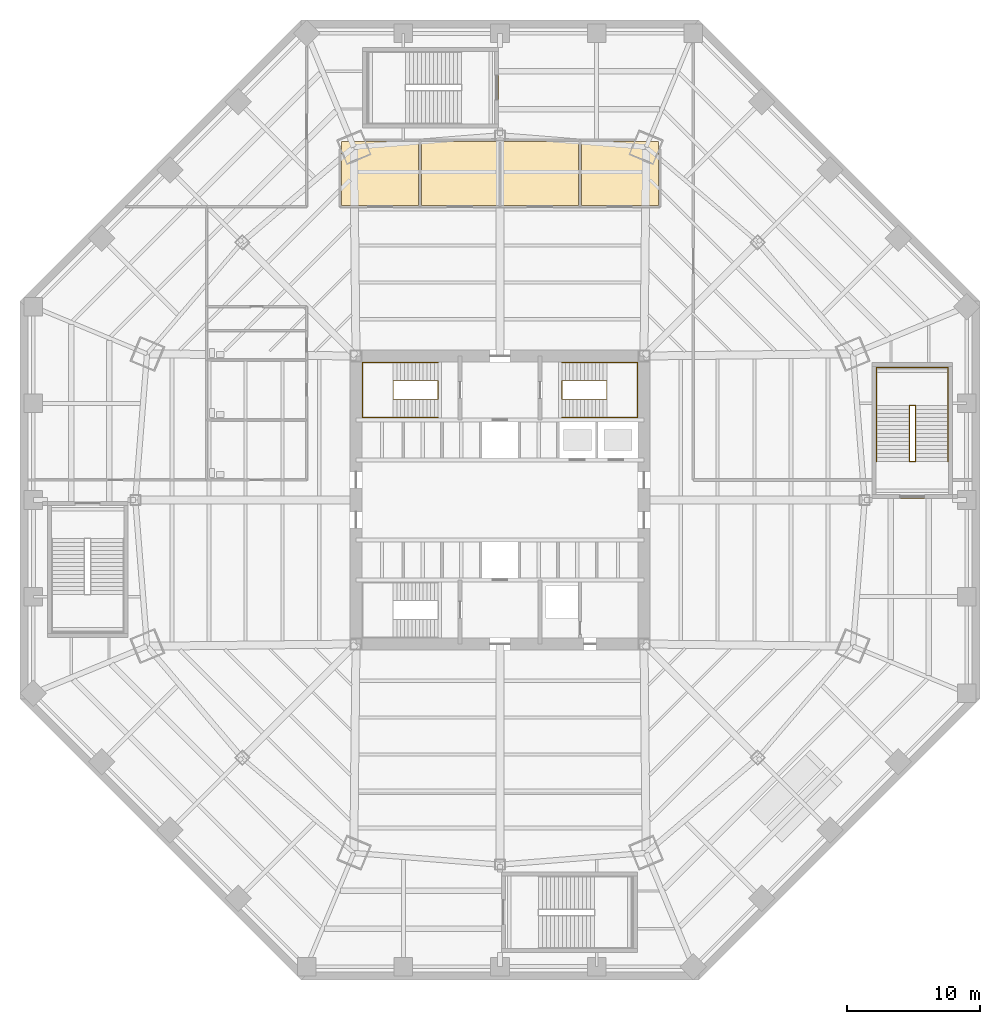
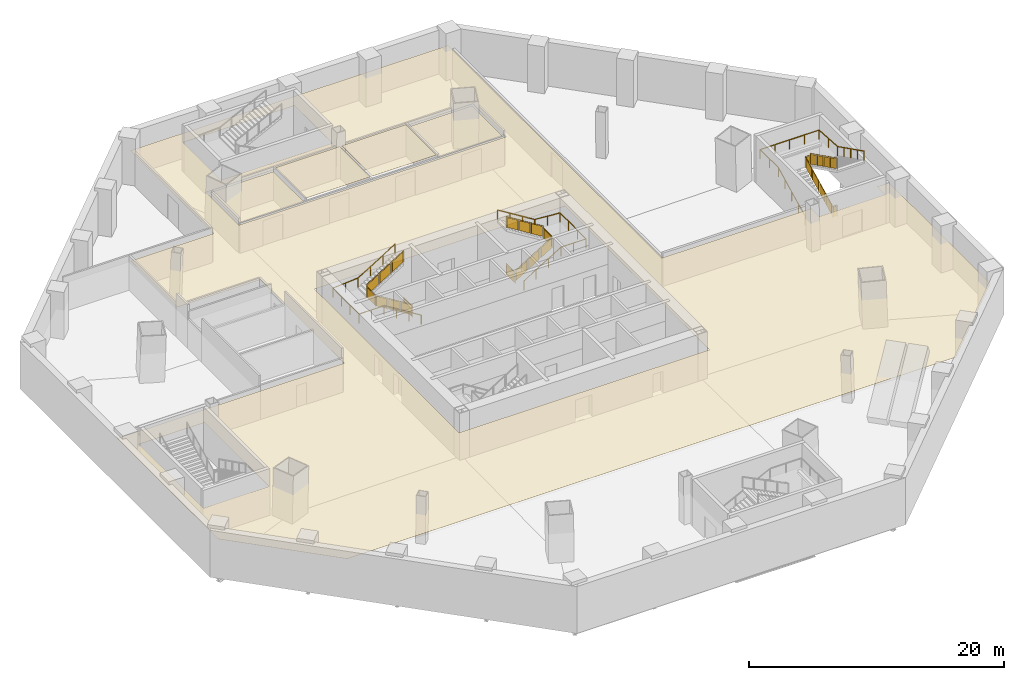
# One storey, part 12 of 15: 6 railings, 5 coverings.
"""IFC4 building model written with IfcOpenShell, lengths in metres."""

from ifc_helpers import new_model, si_unit, direction, frame, origin, origin_2d, place, context, subcontext, project, spatial, polyline, circle, outline, extrude, material, layer, layer_set, type_object, element, save


model = new_model("IFC4")

# Units and contexts
model_context = context("Model", 3, precision=1e-05, world=origin(), true_north=direction((0.0, 1.0)))
body_context = subcontext(model_context, "Body", "Model", "MODEL_VIEW")
ifc_project = project(units=[si_unit("LENGTHUNIT", "METRE"), si_unit("AREAUNIT", "SQUARE_METRE"), si_unit("VOLUMEUNIT", "CUBIC_METRE"), si_unit("PLANEANGLEUNIT", "RADIAN"), si_unit("MASSUNIT", "GRAM", prefix="KILO")], contexts=[model_context])

# Site, building, storey
site_placement = place(None, origin())
site = spatial("IfcSite", under=ifc_project, at=site_placement, CompositionType="ELEMENT")
building_placement = place(site_placement, origin())
building = spatial("IfcBuilding", under=site, at=building_placement, Name="Mashrafa Tower", CompositionType="ELEMENT")
storey_placement = place(building_placement, frame((0.0, 0.0, -4.5)))
storey = spatial("IfcBuildingStorey", under=building, at=storey_placement, Name="B1", CompositionType="ELEMENT", Elevation=-4.5)

# Railings
ifc_material_1 = material(Name="Steel guard with glass infill", Category="steel")
railing_type_1 = type_object("IfcRailingType", Name="Stair guard 1100", PredefinedType="GUARDRAIL", material=ifc_material_1)
railing_1_placement = place(storey_placement, frame((-4.64990234375, 8.949951171875, 0.0)))
element("IfcRailing", 1, at=railing_1_placement, inside=storey, type_object=railing_type_1, Name="Stair S1 guard B1", PredefinedType="GUARDRAIL", context=body_context, shape_type="SweptSolid", body=[
    extrude(circle(Radius=0.02392578125, at=origin_2d()), frame((0.0, 0.0, 1.076171875), z_axis=(0.0, -1.0, 0.0), x_axis=(1.0, 0.0, 0.0)), (0.0, 0.0, 1.0), 1.39990234375),
    extrude(circle(Radius=0.02392578125, at=origin_2d()), frame((0.0, -1.39990234375, 1.076171875), z_axis=(0.0, 0.0, 1.0), x_axis=(1.0, 0.0, 0.0)), (0.0, 0.0, 1.0), 0.173095703125),
    extrude(circle(Radius=0.02392578125, at=origin_2d()), frame((0.0, -1.39990234375, 1.2490234375), z_axis=(-0.850623216509, 0.0, 0.525775754039), x_axis=(0.0, -1.0, 0.0)), (0.0, 0.0, 1.0), 3.9501953125),
    extrude(circle(Radius=0.02392578125, at=origin_2d()), frame((-3.360107421875, -1.39990234375, 3.326171875), z_axis=(0.0, 1.0, 0.0), x_axis=(-1.0, 0.0, 0.0)), (0.0, 0.0, 1.0), 1.39990234375),
    extrude(circle(Radius=0.02392578125, at=origin_2d()), frame((-3.360107421875, 0.0, 3.326171875), z_axis=(0.0, 0.0, 1.0), x_axis=(1.0, 0.0, 0.0)), (0.0, 0.0, 1.0), 0.173095703125),
    extrude(circle(Radius=0.02392578125, at=origin_2d()), frame((-3.360107421875, 0.0, 3.4990234375), z_axis=(0.850623216509, 0.0, 0.525775754039), x_axis=(0.0, 1.0, 0.0)), (0.0, 0.0, 1.0), 3.9501953125),
    extrude(circle(Radius=0.02099609375, at=origin_2d()), origin(), (0.0, 0.0, 1.0), 1.052001953125),
    extrude(circle(Radius=0.02099609375, at=origin_2d()), frame((0.0, -1.39990234375, 0.0)), (0.0, 0.0, 1.0), 1.052001953125),
    extrude(circle(Radius=0.02099609375, at=origin_2d()), frame((0.0, -1.39990234375, 0.173095703125)), (0.0, 0.0, 1.0), 1.052001953125),
    extrude(circle(Radius=0.02099609375, at=origin_2d()), frame((-1.1201171875, -1.39990234375, 0.865478515625)), (0.0, 0.0, 1.0), 1.052001953125),
    extrude(circle(Radius=0.02099609375, at=origin_2d()), frame((-2.239990234375, -1.39990234375, 1.5576171875)), (0.0, 0.0, 1.0), 1.052001953125),
    extrude(circle(Radius=0.02099609375, at=origin_2d()), frame((-3.360107421875, -1.39990234375, 2.25)), (0.0, 0.0, 1.0), 1.052001953125),
    extrude(circle(Radius=0.02099609375, at=origin_2d()), frame((-3.360107421875, 0.0, 2.25)), (0.0, 0.0, 1.0), 1.052001953125),
    extrude(circle(Radius=0.02099609375, at=origin_2d()), frame((-3.360107421875, 0.0, 2.423095703125)), (0.0, 0.0, 1.0), 1.052001953125),
    extrude(circle(Radius=0.02099609375, at=origin_2d()), frame((-2.239990234375, 0.0, 3.115478515625)), (0.0, 0.0, 1.0), 1.052001953125),
    extrude(circle(Radius=0.02099609375, at=origin_2d()), frame((-1.1201171875, 0.0, 3.8076171875)), (0.0, 0.0, 1.0), 1.052001953125),
    extrude(circle(Radius=0.02099609375, at=origin_2d()), frame((0.0, 0.0, 4.5)), (0.0, 0.0, 1.0), 1.052001953125),
    extrude(outline(polyline([(0.071044921875, 0.050048828125), (1.328857421875, 0.050048828125), (1.328857421875, 1.001953125), (0.071044921875, 1.001953125), (0.071044921875, 0.050048828125)])), frame((-0.006103515625, 0.0, 0.0), z_axis=(-1.0, 0.0, 0.0), x_axis=(0.0, -1.0, 0.0)), (0.0, 0.0, 1.0), 0.011962890625),
    extrude(outline(polyline([(0.071044921875, 0.093994140625), (1.049072265625, 0.698486328125), (1.049072265625, 1.650390625), (0.071044921875, 1.0458984375), (0.071044921875, 0.093994140625)])), frame((0.0, -1.393798828125, 0.173095703125), z_axis=(0.0, 1.0, 0.0), x_axis=(-1.0, 0.0, 0.0)), (0.0, 0.0, 1.0), 0.011962890625),
    extrude(outline(polyline([(1.19091796875, 0.7861328125), (2.169189453125, 1.390625), (2.169189453125, 2.3427734375), (1.19091796875, 1.73828125), (1.19091796875, 0.7861328125)])), frame((0.0, -1.393798828125, 0.173095703125), z_axis=(0.0, 1.0, 0.0), x_axis=(-1.0, 0.0, 0.0)), (0.0, 0.0, 1.0), 0.011962890625),
    extrude(outline(polyline([(2.31103515625, 1.478515625), (3.2890625, 2.0830078125), (3.2890625, 3.034912109375), (2.31103515625, 2.430419921875), (2.31103515625, 1.478515625)])), frame((0.0, -1.393798828125, 0.173095703125), z_axis=(0.0, 1.0, 0.0), x_axis=(-1.0, 0.0, 0.0)), (0.0, 0.0, 1.0), 0.011962890625),
    extrude(outline(polyline([(0.071044921875, 0.050048828125), (1.328857421875, 0.050048828125), (1.328857421875, 1.001953125), (0.071044921875, 1.001953125), (0.071044921875, 0.050048828125)])), frame((-3.35400390625, -1.39990234375, 2.25), z_axis=(1.0, 0.0, 0.0), x_axis=(0.0, 1.0, 0.0)), (0.0, 0.0, 1.0), 0.011962890625),
    extrude(outline(polyline([(0.071044921875, 0.093994140625), (1.049072265625, 0.698486328125), (1.049072265625, 1.650390625), (0.071044921875, 1.0458984375), (0.071044921875, 0.093994140625)])), frame((-3.360107421875, -0.006103515625, 2.423095703125), z_axis=(0.0, -1.0, 0.0), x_axis=(1.0, 0.0, 0.0)), (0.0, 0.0, 1.0), 0.011962890625),
    extrude(outline(polyline([(1.19091796875, 0.7861328125), (2.169189453125, 1.390625), (2.169189453125, 2.3427734375), (1.19091796875, 1.73828125), (1.19091796875, 0.7861328125)])), frame((-3.360107421875, -0.006103515625, 2.423095703125), z_axis=(0.0, -1.0, 0.0), x_axis=(1.0, 0.0, 0.0)), (0.0, 0.0, 1.0), 0.011962890625),
    extrude(outline(polyline([(2.31103515625, 1.478515625), (3.2890625, 2.0830078125), (3.2890625, 3.034912109375), (2.31103515625, 2.430419921875), (2.31103515625, 1.478515625)])), frame((-3.360107421875, -0.006103515625, 2.423095703125), z_axis=(0.0, -1.0, 0.0), x_axis=(1.0, 0.0, 0.0)), (0.0, 0.0, 1.0), 0.011962890625),
])
railing_2_placement = place(storey_placement, frame((4.64990234375, 8.949951171875, 0.0)))
element("IfcRailing", 2, at=railing_2_placement, inside=storey, type_object=railing_type_1, Name="Stair S2 guard B1", PredefinedType="GUARDRAIL", context=body_context, shape_type="SweptSolid", body=[
    extrude(circle(Radius=0.02392578125, at=origin_2d()), frame((0.0, 0.0, 1.076171875), z_axis=(0.0, -1.0, 0.0), x_axis=(1.0, 0.0, 0.0)), (0.0, 0.0, 1.0), 1.39990234375),
    extrude(circle(Radius=0.02392578125, at=origin_2d()), frame((0.0, -1.39990234375, 1.076171875), z_axis=(0.0, 0.0, 1.0), x_axis=(1.0, 0.0, 0.0)), (0.0, 0.0, 1.0), 0.173095703125),
    extrude(circle(Radius=0.02392578125, at=origin_2d()), frame((0.0, -1.39990234375, 1.2490234375), z_axis=(0.850623216509, 0.0, 0.525775754039), x_axis=(0.0, 1.0, 0.0)), (0.0, 0.0, 1.0), 3.9501953125),
    extrude(circle(Radius=0.02392578125, at=origin_2d()), frame((3.360107421875, -1.39990234375, 3.326171875), z_axis=(0.0, 1.0, 0.0), x_axis=(-1.0, 0.0, 0.0)), (0.0, 0.0, 1.0), 1.39990234375),
    extrude(circle(Radius=0.02392578125, at=origin_2d()), frame((3.360107421875, 0.0, 3.326171875), z_axis=(0.0, 0.0, 1.0), x_axis=(1.0, 0.0, 0.0)), (0.0, 0.0, 1.0), 0.173095703125),
    extrude(circle(Radius=0.02392578125, at=origin_2d()), frame((3.360107421875, 0.0, 3.4990234375), z_axis=(-0.850623216509, 0.0, 0.525775754039), x_axis=(0.0, -1.0, 0.0)), (0.0, 0.0, 1.0), 3.9501953125),
    extrude(circle(Radius=0.02099609375, at=origin_2d()), origin(), (0.0, 0.0, 1.0), 1.052001953125),
    extrude(circle(Radius=0.02099609375, at=origin_2d()), frame((0.0, -1.39990234375, 0.0)), (0.0, 0.0, 1.0), 1.052001953125),
    extrude(circle(Radius=0.02099609375, at=origin_2d()), frame((0.0, -1.39990234375, 0.173095703125)), (0.0, 0.0, 1.0), 1.052001953125),
    extrude(circle(Radius=0.02099609375, at=origin_2d()), frame((1.1201171875, -1.39990234375, 0.865478515625)), (0.0, 0.0, 1.0), 1.052001953125),
    extrude(circle(Radius=0.02099609375, at=origin_2d()), frame((2.239990234375, -1.39990234375, 1.5576171875)), (0.0, 0.0, 1.0), 1.052001953125),
    extrude(circle(Radius=0.02099609375, at=origin_2d()), frame((3.360107421875, -1.39990234375, 2.25)), (0.0, 0.0, 1.0), 1.052001953125),
    extrude(circle(Radius=0.02099609375, at=origin_2d()), frame((3.360107421875, 0.0, 2.25)), (0.0, 0.0, 1.0), 1.052001953125),
    extrude(circle(Radius=0.02099609375, at=origin_2d()), frame((3.360107421875, 0.0, 2.423095703125)), (0.0, 0.0, 1.0), 1.052001953125),
    extrude(circle(Radius=0.02099609375, at=origin_2d()), frame((2.239990234375, 0.0, 3.115478515625)), (0.0, 0.0, 1.0), 1.052001953125),
    extrude(circle(Radius=0.02099609375, at=origin_2d()), frame((1.1201171875, 0.0, 3.8076171875)), (0.0, 0.0, 1.0), 1.052001953125),
    extrude(circle(Radius=0.02099609375, at=origin_2d()), frame((0.0, 0.0, 4.5)), (0.0, 0.0, 1.0), 1.052001953125),
    extrude(outline(polyline([(0.071044921875, 0.050048828125), (1.328857421875, 0.050048828125), (1.328857421875, 1.001953125), (0.071044921875, 1.001953125), (0.071044921875, 0.050048828125)])), frame((-0.006103515625, 0.0, 0.0), z_axis=(-1.0, 0.0, 0.0), x_axis=(0.0, -1.0, 0.0)), (0.0, 0.0, 1.0), 0.011962890625),
    extrude(outline(polyline([(0.071044921875, 0.093994140625), (1.049072265625, 0.698486328125), (1.049072265625, 1.650390625), (0.071044921875, 1.0458984375), (0.071044921875, 0.093994140625)])), frame((0.0, -1.406005859375, 0.173095703125), z_axis=(0.0, -1.0, 0.0), x_axis=(1.0, 0.0, 0.0)), (0.0, 0.0, 1.0), 0.011962890625),
    extrude(outline(polyline([(1.19091796875, 0.7861328125), (2.169189453125, 1.390625), (2.169189453125, 2.3427734375), (1.19091796875, 1.73828125), (1.19091796875, 0.7861328125)])), frame((0.0, -1.406005859375, 0.173095703125), z_axis=(0.0, -1.0, 0.0), x_axis=(1.0, 0.0, 0.0)), (0.0, 0.0, 1.0), 0.011962890625),
    extrude(outline(polyline([(2.31103515625, 1.478515625), (3.2890625, 2.0830078125), (3.2890625, 3.034912109375), (2.31103515625, 2.430419921875), (2.31103515625, 1.478515625)])), frame((0.0, -1.406005859375, 0.173095703125), z_axis=(0.0, -1.0, 0.0), x_axis=(1.0, 0.0, 0.0)), (0.0, 0.0, 1.0), 0.011962890625),
    extrude(outline(polyline([(0.071044921875, 0.050048828125), (1.328857421875, 0.050048828125), (1.328857421875, 1.001953125), (0.071044921875, 1.001953125), (0.071044921875, 0.050048828125)])), frame((3.3662109375, -1.39990234375, 2.25), z_axis=(1.0, 0.0, 0.0), x_axis=(0.0, 1.0, 0.0)), (0.0, 0.0, 1.0), 0.011962890625),
    extrude(outline(polyline([(0.071044921875, 0.093994140625), (1.049072265625, 0.698486328125), (1.049072265625, 1.650390625), (0.071044921875, 1.0458984375), (0.071044921875, 0.093994140625)])), frame((3.360107421875, 0.006103515625, 2.423095703125), z_axis=(0.0, 1.0, 0.0), x_axis=(-1.0, 0.0, 0.0)), (0.0, 0.0, 1.0), 0.011962890625),
    extrude(outline(polyline([(1.19091796875, 0.7861328125), (2.169189453125, 1.390625), (2.169189453125, 2.3427734375), (1.19091796875, 1.73828125), (1.19091796875, 0.7861328125)])), frame((3.360107421875, 0.006103515625, 2.423095703125), z_axis=(0.0, 1.0, 0.0), x_axis=(-1.0, 0.0, 0.0)), (0.0, 0.0, 1.0), 0.011962890625),
    extrude(outline(polyline([(2.31103515625, 1.478515625), (3.2890625, 2.0830078125), (3.2890625, 3.034912109375), (2.31103515625, 2.430419921875), (2.31103515625, 1.478515625)])), frame((3.360107421875, 0.006103515625, 2.423095703125), z_axis=(0.0, 1.0, 0.0), x_axis=(-1.0, 0.0, 0.0)), (0.0, 0.0, 1.0), 0.011962890625),
])
railing_3_placement = place(storey_placement, frame((31.14990234375, 2.89990234375, 0.0)))
element("IfcRailing", 3, at=railing_3_placement, inside=storey, type_object=railing_type_1, Name="Stair P1 guard B1", PredefinedType="GUARDRAIL", context=body_context, shape_type="SweptSolid", body=[
    extrude(circle(Radius=0.02392578125, at=origin_2d()), frame((0.0, 0.0, 1.076171875), z_axis=(-1.0, 0.0, 0.0), x_axis=(0.0, -1.0, 0.0)), (0.0, 0.0, 1.0), 0.449951171875),
    extrude(circle(Radius=0.02392578125, at=origin_2d()), frame((-0.449951171875, 0.0, 1.076171875), z_axis=(0.0, 0.0, 1.0), x_axis=(1.0, 0.0, 0.0)), (0.0, 0.0, 1.0), 0.14990234375),
    extrude(circle(Radius=0.02392578125, at=origin_2d()), frame((-0.449951171875, 0.0, 1.22607421875), z_axis=(0.0, 0.894427191, 0.4472135955), x_axis=(-1.0, 0.0, 0.0)), (0.0, 0.0, 1.0), 4.696044921875),
    extrude(circle(Radius=0.02392578125, at=origin_2d()), frame((-0.449951171875, 4.2001953125, 3.326171875), z_axis=(1.0, 0.0, 0.0), x_axis=(0.0, 1.0, 0.0)), (0.0, 0.0, 1.0), 0.449951171875),
    extrude(circle(Radius=0.02392578125, at=origin_2d()), frame((0.0, 4.2001953125, 3.326171875), z_axis=(0.0, 0.0, 1.0), x_axis=(1.0, 0.0, 0.0)), (0.0, 0.0, 1.0), 0.14990234375),
    extrude(circle(Radius=0.02392578125, at=origin_2d()), frame((0.0, 4.2001953125, 3.47607421875), z_axis=(0.0, -0.894427191, 0.4472135955), x_axis=(1.0, 0.0, 0.0)), (0.0, 0.0, 1.0), 4.696044921875),
    extrude(circle(Radius=0.02099609375, at=origin_2d()), origin(), (0.0, 0.0, 1.0), 1.052001953125),
    extrude(circle(Radius=0.02099609375, at=origin_2d()), frame((-0.449951171875, 0.0, 0.0)), (0.0, 0.0, 1.0), 1.052001953125),
    extrude(circle(Radius=0.02099609375, at=origin_2d()), frame((-0.449951171875, 0.0, 0.14990234375)), (0.0, 0.0, 1.0), 1.052001953125),
    extrude(circle(Radius=0.02099609375, at=origin_2d()), frame((-0.449951171875, 1.050048828125, 0.6748046875)), (0.0, 0.0, 1.0), 1.052001953125),
    extrude(circle(Radius=0.02099609375, at=origin_2d()), frame((-0.449951171875, 2.10009765625, 1.199951171875)), (0.0, 0.0, 1.0), 1.052001953125),
    extrude(circle(Radius=0.02099609375, at=origin_2d()), frame((-0.449951171875, 3.150146484375, 1.72509765625)), (0.0, 0.0, 1.0), 1.052001953125),
    extrude(circle(Radius=0.02099609375, at=origin_2d()), frame((-0.449951171875, 4.2001953125, 2.25)), (0.0, 0.0, 1.0), 1.052001953125),
    extrude(circle(Radius=0.02099609375, at=origin_2d()), frame((0.0, 4.2001953125, 2.25)), (0.0, 0.0, 1.0), 1.052001953125),
    extrude(circle(Radius=0.02099609375, at=origin_2d()), frame((0.0, 4.2001953125, 2.39990234375)), (0.0, 0.0, 1.0), 1.052001953125),
    extrude(circle(Radius=0.02099609375, at=origin_2d()), frame((0.0, 3.150146484375, 2.9248046875)), (0.0, 0.0, 1.0), 1.052001953125),
    extrude(circle(Radius=0.02099609375, at=origin_2d()), frame((0.0, 2.10009765625, 3.449951171875)), (0.0, 0.0, 1.0), 1.052001953125),
    extrude(circle(Radius=0.02099609375, at=origin_2d()), frame((0.0, 1.050048828125, 3.97509765625)), (0.0, 0.0, 1.0), 1.052001953125),
    extrude(circle(Radius=0.02099609375, at=origin_2d()), frame((0.0, 0.0, 4.5)), (0.0, 0.0, 1.0), 1.052001953125),
    extrude(outline(polyline([(0.071044921875, 0.050048828125), (0.37890625, 0.050048828125), (0.37890625, 1.001953125), (0.071044921875, 1.001953125), (0.071044921875, 0.050048828125)])), frame((0.0, 0.006103515625, 0.0), z_axis=(0.0, 1.0, 0.0), x_axis=(-1.0, 0.0, 0.0)), (0.0, 0.0, 1.0), 0.011962890625),
    extrude(outline(polyline([(0.071044921875, 0.08544921875), (0.97900390625, 0.53955078125), (0.97900390625, 1.491455078125), (0.071044921875, 1.03759765625), (0.071044921875, 0.08544921875)])), frame((-0.44384765625, 0.0, 0.14990234375), z_axis=(1.0, 0.0, 0.0), x_axis=(0.0, 1.0, 0.0)), (0.0, 0.0, 1.0), 0.011962890625),
    extrude(outline(polyline([(1.12109375, 0.610595703125), (2.029052734375, 1.064453125), (2.029052734375, 2.0166015625), (1.12109375, 1.5625), (1.12109375, 0.610595703125)])), frame((-0.44384765625, 0.0, 0.14990234375), z_axis=(1.0, 0.0, 0.0), x_axis=(0.0, 1.0, 0.0)), (0.0, 0.0, 1.0), 0.011962890625),
    extrude(outline(polyline([(2.171142578125, 1.135498046875), (3.0791015625, 1.589599609375), (3.0791015625, 2.54150390625), (2.171142578125, 2.087646484375), (2.171142578125, 1.135498046875)])), frame((-0.44384765625, 0.0, 0.14990234375), z_axis=(1.0, 0.0, 0.0), x_axis=(0.0, 1.0, 0.0)), (0.0, 0.0, 1.0), 0.011962890625),
    extrude(outline(polyline([(3.22119140625, 1.66064453125), (4.129150390625, 2.114501953125), (4.129150390625, 3.066650390625), (3.22119140625, 2.612548828125), (3.22119140625, 1.66064453125)])), frame((-0.44384765625, 0.0, 0.14990234375), z_axis=(1.0, 0.0, 0.0), x_axis=(0.0, 1.0, 0.0)), (0.0, 0.0, 1.0), 0.011962890625),
    extrude(outline(polyline([(0.071044921875, 0.050048828125), (0.37890625, 0.050048828125), (0.37890625, 1.001953125), (0.071044921875, 1.001953125), (0.071044921875, 0.050048828125)])), frame((-0.449951171875, 4.194091796875, 2.25), z_axis=(0.0, -1.0, 0.0), x_axis=(1.0, 0.0, 0.0)), (0.0, 0.0, 1.0), 0.011962890625),
    extrude(outline(polyline([(0.071044921875, 0.08544921875), (0.97900390625, 0.53955078125), (0.97900390625, 1.491455078125), (0.071044921875, 1.03759765625), (0.071044921875, 0.08544921875)])), frame((-0.006103515625, 4.2001953125, 2.39990234375), z_axis=(-1.0, 0.0, 0.0), x_axis=(0.0, -1.0, 0.0)), (0.0, 0.0, 1.0), 0.011962890625),
    extrude(outline(polyline([(1.12109375, 0.610595703125), (2.029052734375, 1.064453125), (2.029052734375, 2.0166015625), (1.12109375, 1.5625), (1.12109375, 0.610595703125)])), frame((-0.006103515625, 4.2001953125, 2.39990234375), z_axis=(-1.0, 0.0, 0.0), x_axis=(0.0, -1.0, 0.0)), (0.0, 0.0, 1.0), 0.011962890625),
    extrude(outline(polyline([(2.171142578125, 1.135498046875), (3.0791015625, 1.589599609375), (3.0791015625, 2.54150390625), (2.171142578125, 2.087646484375), (2.171142578125, 1.135498046875)])), frame((-0.006103515625, 4.2001953125, 2.39990234375), z_axis=(-1.0, 0.0, 0.0), x_axis=(0.0, -1.0, 0.0)), (0.0, 0.0, 1.0), 0.011962890625),
    extrude(outline(polyline([(3.22119140625, 1.66064453125), (4.129150390625, 2.114501953125), (4.129150390625, 3.066650390625), (3.22119140625, 2.612548828125), (3.22119140625, 1.66064453125)])), frame((-0.006103515625, 4.2001953125, 2.39990234375), z_axis=(-1.0, 0.0, 0.0), x_axis=(0.0, -1.0, 0.0)), (0.0, 0.0, 1.0), 0.011962890625),
])
ifc_material_2 = material(Name="Steel", Category="steel")
railing_type_2 = type_object("IfcRailingType", Name="Stair handrail 900", PredefinedType="HANDRAIL", material=ifc_material_2)
railing_4_placement = place(storey_placement, frame((-4.64990234375, 6.199951171875, 0.173095703125)))
element("IfcRailing", 4, at=railing_4_placement, inside=storey, type_object=railing_type_2, Name="Stair S1 handrail B1", PredefinedType="HANDRAIL", context=body_context, shape_type="SweptSolid", body=[
    extrude(circle(Radius=0.02392578125, at=origin_2d()), frame((0.0, 0.0, 0.8759765625), z_axis=(-0.850623216509, 0.0, 0.525775754039), x_axis=(0.0, -1.0, 0.0)), (0.0, 0.0, 1.0), 3.9501953125),
    extrude(circle(Radius=0.02392578125, at=origin_2d()), frame((-3.360107421875, 0.0, 2.95263671875), z_axis=(-1.0, 0.0, 0.0), x_axis=(0.0, -1.0, 0.0)), (0.0, 0.0, 1.0), 2.2900390625),
    extrude(circle(Radius=0.02392578125, at=origin_2d()), frame((-5.650146484375, 0.0, 2.95263671875), z_axis=(0.0, 1.0, 0.0), x_axis=(-1.0, 0.0, 0.0)), (0.0, 0.0, 1.0), 4.10009765625),
    extrude(circle(Radius=0.02392578125, at=origin_2d()), frame((-5.650146484375, 4.10009765625, 2.95263671875), z_axis=(0.99715553422, 0.0, 0.075371351147), x_axis=(0.0, 1.0, 0.0)), (0.0, 0.0, 1.0), 2.296630859375),
    extrude(circle(Radius=0.02392578125, at=origin_2d()), frame((-3.360107421875, 4.10009765625, 3.1259765625), z_axis=(0.850623216509, 0.0, 0.525775754039), x_axis=(0.0, 1.0, 0.0)), (0.0, 0.0, 1.0), 3.9501953125),
    extrude(circle(Radius=0.02099609375, at=origin_2d()), origin(), (0.0, 0.0, 1.0), 0.851806640625),
    extrude(circle(Radius=0.02099609375, at=origin_2d()), frame((-1.1201171875, 0.0, 0.6923828125)), (0.0, 0.0, 1.0), 0.851806640625),
    extrude(circle(Radius=0.02099609375, at=origin_2d()), frame((-2.239990234375, 0.0, 1.384521484375)), (0.0, 0.0, 1.0), 0.851806640625),
    extrude(circle(Radius=0.02099609375, at=origin_2d()), frame((-3.360107421875, 0.0, 2.076904296875)), (0.0, 0.0, 1.0), 0.851806640625),
    extrude(circle(Radius=0.02099609375, at=origin_2d()), frame((-4.505126953125, 0.0, 2.076904296875)), (0.0, 0.0, 1.0), 0.851806640625),
    extrude(circle(Radius=0.02099609375, at=origin_2d()), frame((-5.650146484375, 0.0, 2.076904296875)), (0.0, 0.0, 1.0), 0.851806640625),
    extrude(circle(Radius=0.02099609375, at=origin_2d()), frame((-5.650146484375, 1.36669921875, 2.076904296875)), (0.0, 0.0, 1.0), 0.851806640625),
    extrude(circle(Radius=0.02099609375, at=origin_2d()), frame((-5.650146484375, 2.7333984375, 2.076904296875)), (0.0, 0.0, 1.0), 0.851806640625),
    extrude(circle(Radius=0.02099609375, at=origin_2d()), frame((-5.650146484375, 4.10009765625, 2.076904296875)), (0.0, 0.0, 1.0), 0.851806640625),
    extrude(circle(Radius=0.02099609375, at=origin_2d()), frame((-4.505126953125, 4.10009765625, 2.16357421875)), (0.0, 0.0, 1.0), 0.851806640625),
    extrude(circle(Radius=0.02099609375, at=origin_2d()), frame((-3.360107421875, 4.10009765625, 2.25)), (0.0, 0.0, 1.0), 0.851806640625),
    extrude(circle(Radius=0.02099609375, at=origin_2d()), frame((-2.239990234375, 4.10009765625, 2.9423828125)), (0.0, 0.0, 1.0), 0.851806640625),
    extrude(circle(Radius=0.02099609375, at=origin_2d()), frame((-1.1201171875, 4.10009765625, 3.634521484375)), (0.0, 0.0, 1.0), 0.851806640625),
    extrude(circle(Radius=0.02099609375, at=origin_2d()), frame((0.0, 4.10009765625, 4.326904296875)), (0.0, 0.0, 1.0), 0.851806640625),
])
railing_5_placement = place(storey_placement, frame((4.64990234375, 6.199951171875, 0.173095703125)))
element("IfcRailing", 5, at=railing_5_placement, inside=storey, type_object=railing_type_2, Name="Stair S2 handrail B1", PredefinedType="HANDRAIL", context=body_context, shape_type="SweptSolid", body=[
    extrude(circle(Radius=0.02392578125, at=origin_2d()), frame((0.0, 0.0, 0.8759765625), z_axis=(0.850623216509, 0.0, 0.525775754039), x_axis=(0.0, 1.0, 0.0)), (0.0, 0.0, 1.0), 3.9501953125),
    extrude(circle(Radius=0.02392578125, at=origin_2d()), frame((3.360107421875, 0.0, 2.95263671875), z_axis=(1.0, 0.0, 0.0), x_axis=(0.0, 1.0, 0.0)), (0.0, 0.0, 1.0), 2.2900390625),
    extrude(circle(Radius=0.02392578125, at=origin_2d()), frame((5.650146484375, 0.0, 2.95263671875), z_axis=(0.0, 1.0, 0.0), x_axis=(-1.0, 0.0, 0.0)), (0.0, 0.0, 1.0), 4.10009765625),
    extrude(circle(Radius=0.02392578125, at=origin_2d()), frame((5.650146484375, 4.10009765625, 2.95263671875), z_axis=(-0.99715553422, 0.0, 0.075371351147), x_axis=(0.0, -1.0, 0.0)), (0.0, 0.0, 1.0), 2.296630859375),
    extrude(circle(Radius=0.02392578125, at=origin_2d()), frame((3.360107421875, 4.10009765625, 3.1259765625), z_axis=(-0.850623216509, 0.0, 0.525775754039), x_axis=(0.0, -1.0, 0.0)), (0.0, 0.0, 1.0), 3.9501953125),
    extrude(circle(Radius=0.02099609375, at=origin_2d()), origin(), (0.0, 0.0, 1.0), 0.851806640625),
    extrude(circle(Radius=0.02099609375, at=origin_2d()), frame((1.1201171875, 0.0, 0.6923828125)), (0.0, 0.0, 1.0), 0.851806640625),
    extrude(circle(Radius=0.02099609375, at=origin_2d()), frame((2.239990234375, 0.0, 1.384521484375)), (0.0, 0.0, 1.0), 0.851806640625),
    extrude(circle(Radius=0.02099609375, at=origin_2d()), frame((3.360107421875, 0.0, 2.076904296875)), (0.0, 0.0, 1.0), 0.851806640625),
    extrude(circle(Radius=0.02099609375, at=origin_2d()), frame((4.505126953125, 0.0, 2.076904296875)), (0.0, 0.0, 1.0), 0.851806640625),
    extrude(circle(Radius=0.02099609375, at=origin_2d()), frame((5.650146484375, 0.0, 2.076904296875)), (0.0, 0.0, 1.0), 0.851806640625),
    extrude(circle(Radius=0.02099609375, at=origin_2d()), frame((5.650146484375, 1.36669921875, 2.076904296875)), (0.0, 0.0, 1.0), 0.851806640625),
    extrude(circle(Radius=0.02099609375, at=origin_2d()), frame((5.650146484375, 2.7333984375, 2.076904296875)), (0.0, 0.0, 1.0), 0.851806640625),
    extrude(circle(Radius=0.02099609375, at=origin_2d()), frame((5.650146484375, 4.10009765625, 2.076904296875)), (0.0, 0.0, 1.0), 0.851806640625),
    extrude(circle(Radius=0.02099609375, at=origin_2d()), frame((4.505126953125, 4.10009765625, 2.16357421875)), (0.0, 0.0, 1.0), 0.851806640625),
    extrude(circle(Radius=0.02099609375, at=origin_2d()), frame((3.360107421875, 4.10009765625, 2.25)), (0.0, 0.0, 1.0), 0.851806640625),
    extrude(circle(Radius=0.02099609375, at=origin_2d()), frame((2.239990234375, 4.10009765625, 2.9423828125)), (0.0, 0.0, 1.0), 0.851806640625),
    extrude(circle(Radius=0.02099609375, at=origin_2d()), frame((1.1201171875, 4.10009765625, 3.634521484375)), (0.0, 0.0, 1.0), 0.851806640625),
    extrude(circle(Radius=0.02099609375, at=origin_2d()), frame((0.0, 4.10009765625, 4.326904296875)), (0.0, 0.0, 1.0), 0.851806640625),
])
railing_6_placement = place(storey_placement, frame((28.25, 2.89990234375, 0.14990234375)))
element("IfcRailing", 6, at=railing_6_placement, inside=storey, type_object=railing_type_2, Name="Stair P1 handrail B1", PredefinedType="HANDRAIL", context=body_context, shape_type="SweptSolid", body=[
    extrude(circle(Radius=0.02392578125, at=origin_2d()), frame((0.0, 0.0, 0.8759765625), z_axis=(0.0, 0.894427191, 0.4472135955), x_axis=(-1.0, 0.0, 0.0)), (0.0, 0.0, 1.0), 4.696044921875),
    extrude(circle(Radius=0.02392578125, at=origin_2d()), frame((0.0, 4.2001953125, 2.97607421875), z_axis=(0.0, 1.0, 0.0), x_axis=(-1.0, 0.0, 0.0)), (0.0, 0.0, 1.0), 2.849853515625),
    extrude(circle(Radius=0.02392578125, at=origin_2d()), frame((0.0, 7.050048828125, 2.97607421875), z_axis=(1.0, 0.0, 0.0), x_axis=(0.0, 1.0, 0.0)), (0.0, 0.0, 1.0), 5.35009765625),
    extrude(circle(Radius=0.02392578125, at=origin_2d()), frame((5.35009765625, 7.050048828125, 2.97607421875), z_axis=(0.0, -0.99861948311, 0.052527401922), x_axis=(1.0, 0.0, 0.0)), (0.0, 0.0, 1.0), 2.853759765625),
    extrude(circle(Radius=0.02392578125, at=origin_2d()), frame((5.35009765625, 4.2001953125, 3.1259765625), z_axis=(0.0, -0.894427191, 0.4472135955), x_axis=(1.0, 0.0, 0.0)), (0.0, 0.0, 1.0), 4.696044921875),
    extrude(circle(Radius=0.02099609375, at=origin_2d()), origin(), (0.0, 0.0, 1.0), 0.851806640625),
    extrude(circle(Radius=0.02099609375, at=origin_2d()), frame((0.0, 1.050048828125, 0.52490234375)), (0.0, 0.0, 1.0), 0.851806640625),
    extrude(circle(Radius=0.02099609375, at=origin_2d()), frame((0.0, 2.10009765625, 1.050048828125)), (0.0, 0.0, 1.0), 0.851806640625),
    extrude(circle(Radius=0.02099609375, at=origin_2d()), frame((0.0, 3.150146484375, 1.5751953125)), (0.0, 0.0, 1.0), 0.851806640625),
    extrude(circle(Radius=0.02099609375, at=origin_2d()), frame((0.0, 4.2001953125, 2.10009765625)), (0.0, 0.0, 1.0), 0.851806640625),
    extrude(circle(Radius=0.02099609375, at=origin_2d()), frame((0.0, 5.625, 2.10009765625)), (0.0, 0.0, 1.0), 0.851806640625),
    extrude(circle(Radius=0.02099609375, at=origin_2d()), frame((0.0, 7.050048828125, 2.10009765625)), (0.0, 0.0, 1.0), 0.851806640625),
    extrude(circle(Radius=0.02099609375, at=origin_2d()), frame((1.33740234375, 7.050048828125, 2.10009765625)), (0.0, 0.0, 1.0), 0.851806640625),
    extrude(circle(Radius=0.02099609375, at=origin_2d()), frame((2.675048828125, 7.050048828125, 2.10009765625)), (0.0, 0.0, 1.0), 0.851806640625),
    extrude(circle(Radius=0.02099609375, at=origin_2d()), frame((4.0126953125, 7.050048828125, 2.10009765625)), (0.0, 0.0, 1.0), 0.851806640625),
    extrude(circle(Radius=0.02099609375, at=origin_2d()), frame((5.35009765625, 7.050048828125, 2.10009765625)), (0.0, 0.0, 1.0), 0.851806640625),
    extrude(circle(Radius=0.02099609375, at=origin_2d()), frame((5.35009765625, 5.625, 2.175048828125)), (0.0, 0.0, 1.0), 0.851806640625),
    extrude(circle(Radius=0.02099609375, at=origin_2d()), frame((5.35009765625, 4.2001953125, 2.25)), (0.0, 0.0, 1.0), 0.851806640625),
    extrude(circle(Radius=0.02099609375, at=origin_2d()), frame((5.35009765625, 3.150146484375, 2.77490234375)), (0.0, 0.0, 1.0), 0.851806640625),
    extrude(circle(Radius=0.02099609375, at=origin_2d()), frame((5.35009765625, 2.10009765625, 3.300048828125)), (0.0, 0.0, 1.0), 0.851806640625),
    extrude(circle(Radius=0.02099609375, at=origin_2d()), frame((5.35009765625, 1.050048828125, 3.8251953125)), (0.0, 0.0, 1.0), 0.851806640625),
    extrude(circle(Radius=0.02099609375, at=origin_2d()), frame((5.35009765625, 0.0, 4.35009765625)), (0.0, 0.0, 1.0), 0.851806640625),
])

# Coverings
ifc_material_3 = material(Name="Mineral fibre tile on suspension grid")
ifc_layer = layer(ifc_material_3, 0.014892578125)
ifc_layer_set = layer_set([ifc_layer], Name="Suspended ceiling mineral tile 15")
covering_type = type_object("IfcCoveringType", Name="Suspended ceiling mineral tile 15", PredefinedType="CEILING", material=ifc_layer_set)
covering_1_placement = place(storey_placement, frame((0.0, 0.0, 2.75)))
element("IfcCovering", 7, at=covering_1_placement, inside=storey, type_object=covering_type, Name="Ceiling Retail Kiosk B1-01", PredefinedType="CEILING", context=body_context, shape_type="SweptSolid", body=[
    extrude(outline(polyline([(-11.89990234375, 22.10009765625), (-11.89990234375, 26.89990234375), (-6.10009765625, 26.89990234375), (-6.10009765625, 22.10009765625), (-11.89990234375, 22.10009765625)])), origin(), (0.0, 0.0, 1.0), 0.014892578125),
])
covering_2_placement = place(storey_placement, frame((0.0, 0.0, 3.050048828125)))
element("IfcCovering", 8, at=covering_2_placement, inside=storey, type_object=covering_type, Name="Ceiling Retail Kiosk B1-02", PredefinedType="CEILING", context=body_context, shape_type="SweptSolid", body=[
    extrude(outline(polyline([(-5.89990234375, 22.10009765625), (-5.89990234375, 26.89990234375), (-0.10009765625, 26.89990234375), (-0.10009765625, 22.10009765625), (-5.89990234375, 22.10009765625)])), origin(), (0.0, 0.0, 1.0), 0.014892578125),
])
covering_3_placement = place(storey_placement, frame((0.0, 0.0, 3.050048828125)))
element("IfcCovering", 9, at=covering_3_placement, inside=storey, type_object=covering_type, Name="Ceiling Retail Kiosk B1-03", PredefinedType="CEILING", context=body_context, shape_type="SweptSolid", body=[
    extrude(outline(polyline([(0.10009765625, 22.10009765625), (0.10009765625, 26.89990234375), (5.89990234375, 26.89990234375), (5.89990234375, 22.10009765625), (0.10009765625, 22.10009765625)])), origin(), (0.0, 0.0, 1.0), 0.014892578125),
])
covering_4_placement = place(storey_placement, frame((0.0, 0.0, 2.75)))
element("IfcCovering", 10, at=covering_4_placement, inside=storey, type_object=covering_type, Name="Ceiling Retail Kiosk B1-04", PredefinedType="CEILING", context=body_context, shape_type="SweptSolid", body=[
    extrude(outline(polyline([(6.10009765625, 22.10009765625), (6.10009765625, 26.89990234375), (11.89990234375, 26.89990234375), (11.89990234375, 22.10009765625), (6.10009765625, 22.10009765625)])), origin(), (0.0, 0.0, 1.0), 0.014892578125),
])
covering_5_placement = place(storey_placement, frame((0.0, 0.0, 2.75)))
element("IfcCovering", 11, at=covering_5_placement, inside=storey, type_object=covering_type, Name="Ceiling Transit Concourse B1", PredefinedType="CEILING", context=body_context, shape_type="SweptSolid", body=[
    extrude(outline(polyline([(-27.597412109375, -21.89990234375), (-35.0, -14.49755859375), (-35.0, 1.39990234375), (-14.39990234375, 1.39990234375), (-14.39990234375, 14.60009765625), (-21.89990234375, 14.60009765625), (-21.89990234375, 21.89990234375), (-14.39990234375, 21.89990234375), (-14.39990234375, 35.0), (14.39990234375, 35.0), (14.39990234375, 1.39990234375), (27.949951171875, 1.39990234375), (27.949951171875, 0.14990234375), (33.89990234375, 0.14990234375), (33.89990234375, 1.39990234375), (35.0, 1.39990234375), (35.0, -14.49755859375), (27.597412109375, -21.89990234375), (-27.597412109375, -21.89990234375)]), holes=[polyline([(12.10009765625, 27.10009765625), (-12.10009765625, 27.10009765625), (-12.10009765625, 21.89990234375), (12.10009765625, 21.89990234375), (12.10009765625, 27.10009765625)]), polyline([(-11.35009765625, -11.35009765625), (11.35009765625, -11.35009765625), (11.35009765625, 11.35009765625), (-11.35009765625, 11.35009765625), (-11.35009765625, -11.35009765625)]), polyline([(-10.25, 27.949951171875), (-0.14990234375, 27.949951171875), (-0.14990234375, 33.89990234375), (-10.25, 33.89990234375), (-10.25, 27.949951171875)]), polyline([(-33.89990234375, -0.14990234375), (-33.89990234375, -10.25), (-27.949951171875, -10.25), (-27.949951171875, -0.14990234375), (-33.89990234375, -0.14990234375)])]), origin(), (0.0, 0.0, 1.0), 0.014892578125),
])

save(model, "model.ifc")
